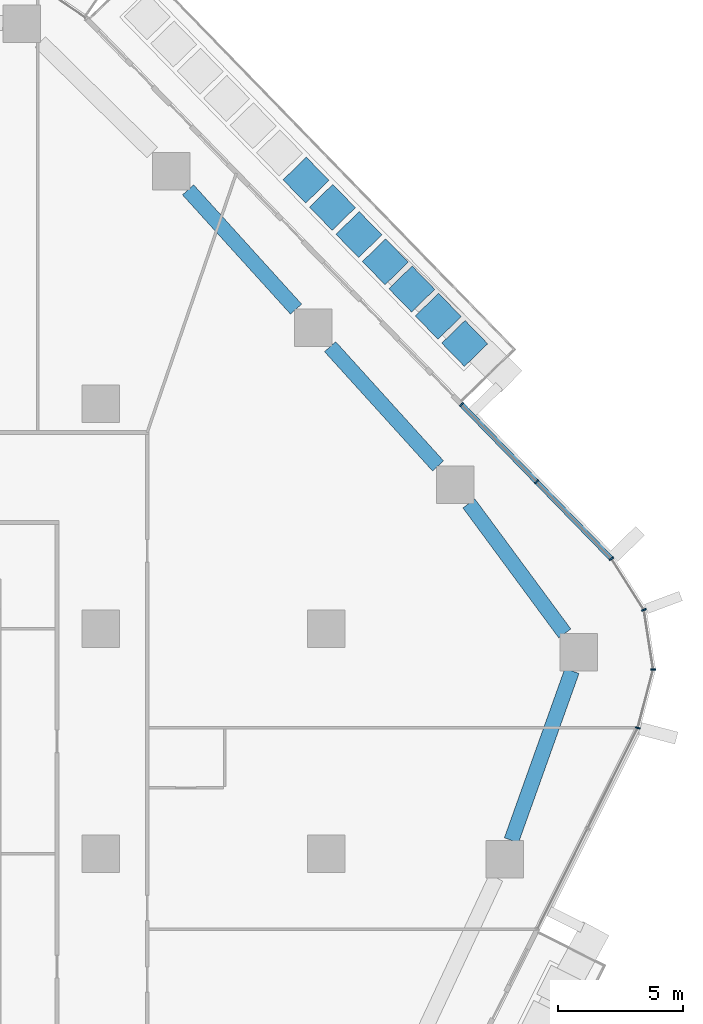
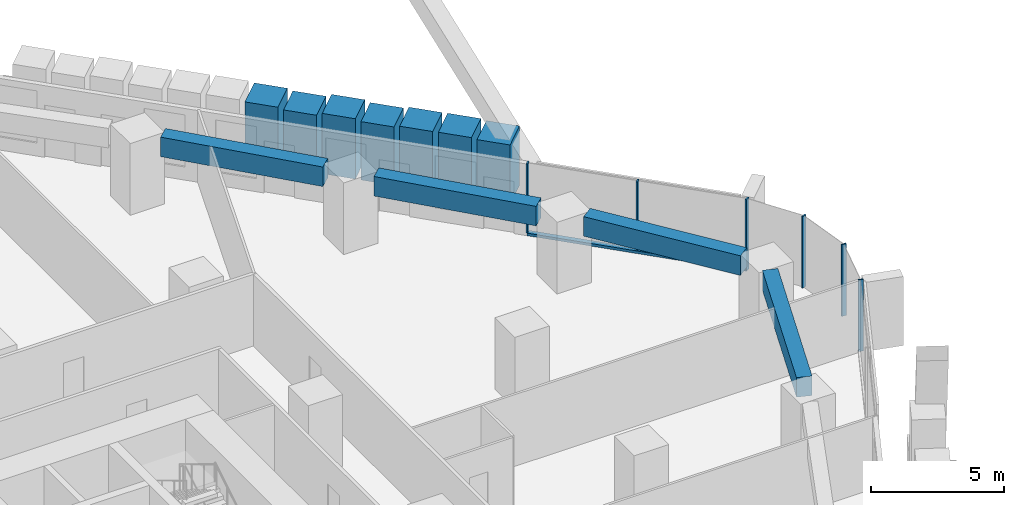
# One storey, part 8 of 26: 14 members, 4 beams, 2 elements without a shape of their own.
"""IFC4 building model written with IfcOpenShell, lengths in metres."""

from ifc_helpers import new_model, si_unit, direction, frame, origin, origin_2d, place, context, subcontext, project, spatial, rectangle, extrude, material, layer, layer_set, material_profile, profile_set, type_object, element, aggregate, save


model = new_model("IFC4")

# Units and contexts
model_context = context("Model", 3, precision=1e-05, world=origin(), true_north=direction((0.0, 1.0)))
body_context = subcontext(model_context, "Body", "Model", "MODEL_VIEW")
ifc_project = project(units=[si_unit("LENGTHUNIT", "METRE"), si_unit("AREAUNIT", "SQUARE_METRE"), si_unit("VOLUMEUNIT", "CUBIC_METRE"), si_unit("PLANEANGLEUNIT", "RADIAN"), si_unit("MASSUNIT", "GRAM", prefix="KILO")], contexts=[model_context])

# Site, building, storey
site_placement = place(None, origin())
site = spatial("IfcSite", under=ifc_project, at=site_placement, CompositionType="ELEMENT")
building_placement = place(site_placement, origin())
building = spatial("IfcBuilding", under=site, at=building_placement, Name="Dongbaek Canopy Tower", CompositionType="ELEMENT")
storey_placement = place(building_placement, frame((0.0, 0.0, 73.60009765625)))
storey = spatial("IfcBuildingStorey", under=building, at=storey_placement, Name="L14", CompositionType="ELEMENT", Elevation=73.60009765625)

# Curtain wall, members
ifc_material_1 = material(Name="Aluminium 6063-T6 pale anodised", Category="aluminium")
ifc_layer = layer(ifc_material_1, 0.199951171875)
ifc_layer_set = layer_set([ifc_layer], Name="CW-1 unitised tower curtain wall")
curtain_wall_type = type_object("IfcCurtainWallType", Name="CW-1 unitised tower curtain wall", PredefinedType="NOTDEFINED", material=ifc_layer_set)
curtain_wall_1_placement = place(storey_placement, origin())
curtain_wall_1 = element("IfcCurtainWall", 1, at=curtain_wall_1_placement, inside=storey, type_object=curtain_wall_type, Name="CW-1 curtain wall K0.1", PredefinedType="NOTDEFINED")
ifc_material_2 = material(Name="Aluminium 6063-T6 pale anodised", Category="aluminium")
ifc_material_profile_1 = material_profile(ifc_material_2, rectangle(XDim=0.199951171875, YDim=0.06005859375, at=origin_2d()), Name="CW-1 mullion 60 x 200")
ifc_profile_set_1 = profile_set([ifc_material_profile_1], Name="Aluminium 6063-T6 pale anodised")
member_type_1 = type_object("IfcMemberType", Name="CW-1 mullion 60 x 200", PredefinedType="MULLION", material=ifc_profile_set_1)
member_1_placement = place(storey_placement, frame((39.460693359375, 5.0390625, 0.0), z_axis=(0.0, 0.0, 1.0), x_axis=(0.967124445532, -0.254303572242, 0.0)))
member_1 = element("IfcMember", 2, at=member_1_placement, type_object=member_type_1, Name="CW-1 mullion K0.1.1", PredefinedType="MULLION", context=body_context, shape_type="SweptSolid", body=[
    extrude(rectangle(XDim=0.199951171875, YDim=0.06005859375, at=origin_2d()), origin(), (0.0, 0.0, 1.0), 3.2998046875),
])
member_2_placement = place(storey_placement, frame((40.07568359375, 7.37841796875, 0.0), z_axis=(0.0, 0.0, 1.0), x_axis=(0.99867447702, -0.051471243905, 0.0)))
member_2 = element("IfcMember", 3, at=member_2_placement, type_object=member_type_1, Name="CW-1 mullion K0.1.2", PredefinedType="MULLION", context=body_context, shape_type="SweptSolid", body=[
    extrude(rectangle(XDim=0.199951171875, YDim=0.06005859375, at=origin_2d()), origin(), (0.0, 0.0, 1.0), 3.2998046875),
])
member_3_placement = place(storey_placement, frame((39.7060546875, 9.758544921875, 0.0), z_axis=(0.0, 0.0, 1.0), x_axis=(0.935976740215, 0.352061843681, 0.0)))
member_3 = element("IfcMember", 4, at=member_3_placement, type_object=member_type_1, Name="CW-1 mullion K0.1.3", PredefinedType="MULLION", context=body_context, shape_type="SweptSolid", body=[
    extrude(rectangle(XDim=0.199951171875, YDim=0.06005859375, at=origin_2d()), origin(), (0.0, 0.0, 1.0), 3.2998046875),
])
member_4_placement = place(storey_placement, frame((38.409912109375, 11.801025390625, 0.0), z_axis=(0.0, 0.0, 1.0), x_axis=(0.844370826203, 0.535759188309, 0.0)))
member_4 = element("IfcMember", 5, at=member_4_placement, type_object=member_type_1, Name="CW-1 mullion K0.1.4", PredefinedType="MULLION", context=body_context, shape_type="SweptSolid", body=[
    extrude(rectangle(XDim=0.199951171875, YDim=0.06005859375, at=origin_2d()), origin(), (0.0, 0.0, 1.0), 3.2998046875),
])
aggregate(curtain_wall_1, [member_1, member_2, member_3, member_4])

curtain_wall_2_placement = place(storey_placement, origin())
curtain_wall_2 = element("IfcCurtainWall", 6, at=curtain_wall_2_placement, inside=storey, type_object=curtain_wall_type, Name="CW-1 curtain wall F0.1", PredefinedType="NOTDEFINED")
member_5_placement = place(storey_placement, frame((35.4169921875, 14.88134765625, 0.119873046875), z_axis=(0.0, 0.0, 1.0), x_axis=(0.717186200853, 0.696881592027, 0.0)))
member_5 = element("IfcMember", 7, at=member_5_placement, type_object=member_type_1, Name="CW-1 mullion F0.1.2", PredefinedType="MULLION", context=body_context, shape_type="SweptSolid", body=[
    extrude(rectangle(XDim=0.199951171875, YDim=0.06005859375, at=origin_2d()), origin(), (0.0, 0.0, 1.0), 3.179931640625),
])
member_6_placement = place(storey_placement, frame((32.41650390625, 17.968994140625, 0.119873046875), z_axis=(0.0, 0.0, 1.0), x_axis=(0.717186200853, 0.696881592027, 0.0)))
member_6 = element("IfcMember", 8, at=member_6_placement, type_object=member_type_1, Name="CW-1 mullion F0.1.3", PredefinedType="MULLION", context=body_context, shape_type="SweptSolid", body=[
    extrude(rectangle(XDim=0.199951171875, YDim=0.06005859375, at=origin_2d()), origin(), (0.0, 0.0, 1.0), 3.179931640625),
])
ifc_material_3 = material(Name="Aluminium 6063-T6 pale anodised", Category="aluminium")
ifc_material_profile_2 = material_profile(ifc_material_3, rectangle(XDim=0.199951171875, YDim=0.1201171875, at=origin_2d()), Name="CW-1 transom 120 x 200")
ifc_profile_set_2 = profile_set([ifc_material_profile_2], Name="Aluminium 6063-T6 pale anodised")
member_type_2 = type_object("IfcMemberType", Name="CW-1 transom 120 x 200", PredefinedType="USERDEFINED", material=ifc_profile_set_2)
member_7_placement = place(storey_placement, frame((38.409912109375, 11.801025390625, 0.059814453125), z_axis=(-0.696885409433, 0.717182491504, 0.0), x_axis=(-0.717182491504, -0.696885409433, 0.0)))
member_7 = element("IfcMember", 9, at=member_7_placement, type_object=member_type_2, Name="CW-1 transom F0.1.1", ObjectType="TRANSOM", PredefinedType="USERDEFINED", context=body_context, shape_type="SweptSolid", body=[
    extrude(rectangle(XDim=0.199951171875, YDim=0.1201171875, at=origin_2d()), origin(), (0.0, 0.0, 1.0), 8.600341796875),
])
aggregate(curtain_wall_2, [member_5, member_6, member_7])

# Beams
ifc_material_4 = material(Name="Concrete C80", Category="concrete")
ifc_material_profile_3 = material_profile(ifc_material_4, rectangle(XDim=0.60009765625, YDim=0.89990234375, at=origin_2d()), Name="RC EDGE BEAM 600x900 C80")
ifc_profile_set_3 = profile_set([ifc_material_profile_3], Name="Concrete C80")
beam_type = type_object("IfcBeamType", Name="RC EDGE BEAM 600x900 C80", PredefinedType="BEAM", material=ifc_profile_set_3)
beam_1_placement = place(storey_placement, frame((21.484375, 26.547119140625, 2.849853515625), z_axis=(0.671288874095, -0.741195822652, 0.0), x_axis=(0.741195822652, 0.671288874095, 0.0)))
element("IfcBeam", 10, at=beam_1_placement, inside=storey, type_object=beam_type, Name="EDGEBEAM:L14:18", PredefinedType="BEAM", context=body_context, shape_type="SweptSolid", body=[
    extrude(rectangle(XDim=0.60009765625, YDim=0.89990234375, at=origin_2d()), origin(), (0.0, 0.0, 1.0), 6.432861328125),
])
beam_2_placement = place(storey_placement, frame((27.1611328125, 20.279052734375, 2.849853515625), z_axis=(0.671226318279, -0.741252473621, 0.0), x_axis=(0.741252473621, 0.671226318279, 0.0)))
element("IfcBeam", 11, at=beam_2_placement, inside=storey, type_object=beam_type, Name="EDGEBEAM:L14:19", PredefinedType="BEAM", context=body_context, shape_type="SweptSolid", body=[
    extrude(rectangle(XDim=0.60009765625, YDim=0.89990234375, at=origin_2d()), origin(), (0.0, 0.0, 1.0), 6.432373046875),
])
beam_3_placement = place(storey_placement, frame((32.71142578125, 14.010986328125, 2.849853515625), z_axis=(0.593731643304, -0.804663119411, 0.0), x_axis=(0.804663119411, 0.593731643304, 0.0)))
element("IfcBeam", 12, at=beam_3_placement, inside=storey, type_object=beam_type, Name="EDGEBEAM:L14:20", PredefinedType="BEAM", context=body_context, shape_type="SweptSolid", body=[
    extrude(rectangle(XDim=0.60009765625, YDim=0.89990234375, at=origin_2d()), origin(), (0.0, 0.0, 1.0), 6.456298828125),
])
beam_4_placement = place(storey_placement, frame((36.830078125, 7.31591796875, 2.849853515625), z_axis=(-0.336456848831, -0.941698884397, 0.0), x_axis=(0.941698884397, -0.336456848831, 0.0)))
element("IfcBeam", 13, at=beam_4_placement, inside=storey, type_object=beam_type, Name="EDGEBEAM:L14:21", PredefinedType="BEAM", context=body_context, shape_type="SweptSolid", body=[
    extrude(rectangle(XDim=0.60009765625, YDim=0.89990234375, at=origin_2d()), origin(), (0.0, 0.0, 1.0), 7.190185546875),
])

# Members
ifc_material_5 = material(Name="Concrete C40/50 planter mass with planting", Category="concrete")
ifc_material_profile_4 = material_profile(ifc_material_5, rectangle(XDim=1.300048828125, YDim=1.300048828125, at=origin_2d()), Name="Terrace PLANTER shrub mass 1300 x 1300")
ifc_profile_set_4 = profile_set([ifc_material_profile_4], Name="Concrete C40/50 planter mass with planting")
member_type_3 = type_object("IfcMemberType", Name="Terrace PLANTER shrub mass 1300 x 1300", PredefinedType="USERDEFINED", material=ifc_profile_set_4)
member_8_placement = place(storey_placement, frame((32.54443359375, 20.406005859375, 0.419921875), z_axis=(0.0, 0.0, 1.0), x_axis=(0.717186200853, 0.696881592027, 0.0)))
element("IfcMember", 14, at=member_8_placement, inside=storey, type_object=member_type_3, Name="Planter shrubs L14 1.1", ObjectType="PLANTER", PredefinedType="USERDEFINED", context=body_context, shape_type="SweptSolid", body=[
    extrude(rectangle(XDim=1.300048828125, YDim=1.300048828125, at=origin_2d()), origin(), (0.0, 0.0, 1.0), 2.72998046875),
])
member_9_placement = place(storey_placement, frame((31.487060546875, 21.494384765625, 0.419921875), z_axis=(0.0, 0.0, 1.0), x_axis=(0.717186200853, 0.696881592027, 0.0)))
element("IfcMember", 15, at=member_9_placement, inside=storey, type_object=member_type_3, Name="Planter shrubs L14 1.2", ObjectType="PLANTER", PredefinedType="USERDEFINED", context=body_context, shape_type="SweptSolid", body=[
    extrude(rectangle(XDim=1.300048828125, YDim=1.300048828125, at=origin_2d()), origin(), (0.0, 0.0, 1.0), 2.780029296875),
])
member_10_placement = place(storey_placement, frame((30.429443359375, 22.58251953125, 0.419921875), z_axis=(0.0, 0.0, 1.0), x_axis=(0.717186200853, 0.696881592027, 0.0)))
element("IfcMember", 16, at=member_10_placement, inside=storey, type_object=member_type_3, Name="Planter shrubs L14 1.3", ObjectType="PLANTER", PredefinedType="USERDEFINED", context=body_context, shape_type="SweptSolid", body=[
    extrude(rectangle(XDim=1.300048828125, YDim=1.300048828125, at=origin_2d()), origin(), (0.0, 0.0, 1.0), 2.77001953125),
])
member_11_placement = place(storey_placement, frame((29.3720703125, 23.6708984375, 0.419921875), z_axis=(0.0, 0.0, 1.0), x_axis=(0.717186200853, 0.696881592027, 0.0)))
element("IfcMember", 17, at=member_11_placement, inside=storey, type_object=member_type_3, Name="Planter shrubs L14 1.4", ObjectType="PLANTER", PredefinedType="USERDEFINED", context=body_context, shape_type="SweptSolid", body=[
    extrude(rectangle(XDim=1.300048828125, YDim=1.300048828125, at=origin_2d()), origin(), (0.0, 0.0, 1.0), 2.68994140625),
])
member_12_placement = place(storey_placement, frame((28.314697265625, 24.759033203125, 0.419921875), z_axis=(0.0, 0.0, 1.0), x_axis=(0.717186200853, 0.696881592027, 0.0)))
element("IfcMember", 18, at=member_12_placement, inside=storey, type_object=member_type_3, Name="Planter shrubs L14 1.5", ObjectType="PLANTER", PredefinedType="USERDEFINED", context=body_context, shape_type="SweptSolid", body=[
    extrude(rectangle(XDim=1.300048828125, YDim=1.300048828125, at=origin_2d()), origin(), (0.0, 0.0, 1.0), 2.780029296875),
])
member_13_placement = place(storey_placement, frame((27.257080078125, 25.847412109375, 0.419921875), z_axis=(0.0, 0.0, 1.0), x_axis=(0.717186200853, 0.696881592027, 0.0)))
element("IfcMember", 19, at=member_13_placement, inside=storey, type_object=member_type_3, Name="Planter shrubs L14 1.6", ObjectType="PLANTER", PredefinedType="USERDEFINED", context=body_context, shape_type="SweptSolid", body=[
    extrude(rectangle(XDim=1.300048828125, YDim=1.300048828125, at=origin_2d()), origin(), (0.0, 0.0, 1.0), 2.64990234375),
])
member_14_placement = place(storey_placement, frame((26.19970703125, 26.935546875, 0.419921875), z_axis=(0.0, 0.0, 1.0), x_axis=(0.717186200853, 0.696881592027, 0.0)))
element("IfcMember", 20, at=member_14_placement, inside=storey, type_object=member_type_3, Name="Planter shrubs L14 1.7", ObjectType="PLANTER", PredefinedType="USERDEFINED", context=body_context, shape_type="SweptSolid", body=[
    extrude(rectangle(XDim=1.300048828125, YDim=1.300048828125, at=origin_2d()), origin(), (0.0, 0.0, 1.0), 2.72998046875),
])

save(model, "model.ifc")
